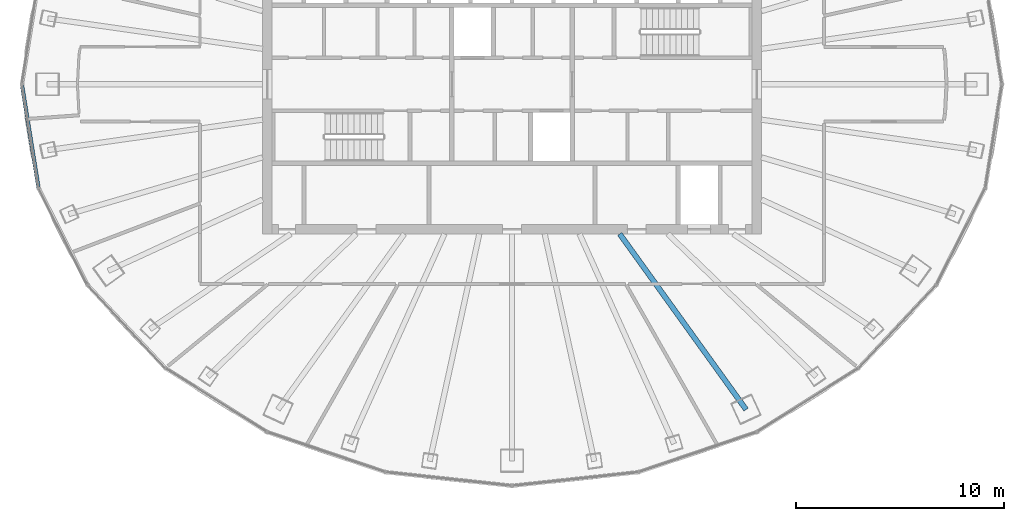
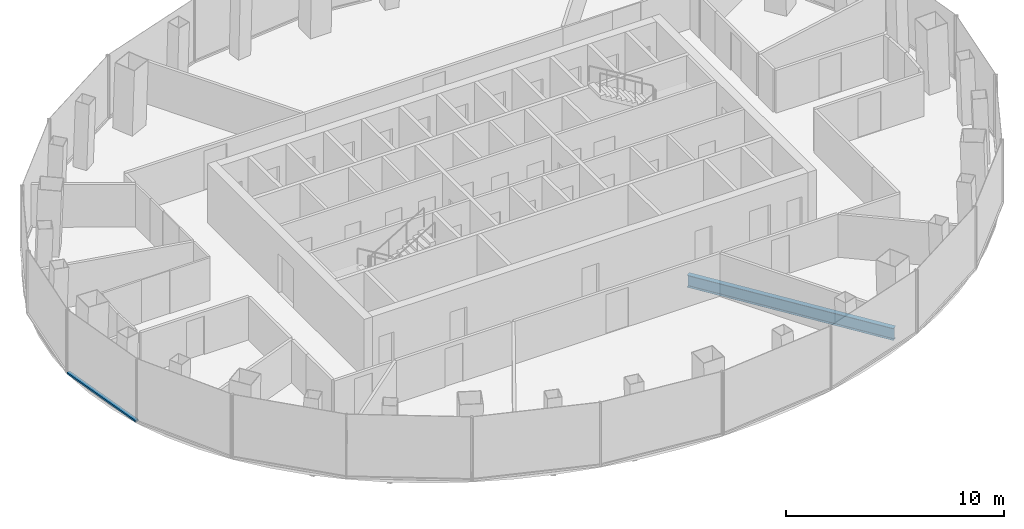
# One storey, part 3 of 13: 1 beam, 1 member, 1 element without a shape of its own.
"""IFC4 building model written with IfcOpenShell, lengths in metres."""

from ifc_helpers import new_model, si_unit, direction, frame, origin, origin_2d, place, context, subcontext, project, spatial, rectangle, i_section, extrude, material, layer, layer_set, material_profile, profile_set, type_object, element, aggregate, save


model = new_model("IFC4")

# Units and contexts
model_context = context("Model", 3, precision=1e-05, world=origin(), true_north=direction((0.0, 1.0)))
body_context = subcontext(model_context, "Body", "Model", "MODEL_VIEW")
ifc_project = project(units=[si_unit("LENGTHUNIT", "METRE"), si_unit("AREAUNIT", "SQUARE_METRE"), si_unit("VOLUMEUNIT", "CUBIC_METRE"), si_unit("PLANEANGLEUNIT", "RADIAN"), si_unit("MASSUNIT", "GRAM", prefix="KILO")], contexts=[model_context])

# Site, building, storey
site_placement = place(None, origin())
site = spatial("IfcSite", under=ifc_project, at=site_placement, CompositionType="ELEMENT")
building_placement = place(site_placement, origin())
building = spatial("IfcBuilding", under=site, at=building_placement, Name="Siaravel Broadcast Tower", CompositionType="ELEMENT")
storey_placement = place(building_placement, frame((0.0, 0.0, 175.60009765625)))
storey = spatial("IfcBuildingStorey", under=building, at=storey_placement, Name="L42", CompositionType="ELEMENT", Elevation=175.60009765625)

# Beam
ifc_material_1 = material(Name="Steel S355", Category="steel")
ifc_material_profile_1 = material_profile(ifc_material_1, i_section(OverallWidth=0.2529296875, OverallDepth=0.677978515625, WebThickness=0.01171875, FlangeThickness=0.01611328125, FilletRadius=0.01513671875, at=origin_2d()))
ifc_profile_set_1 = profile_set([ifc_material_profile_1], Name="Steel S355")
beam_type = type_object("IfcBeamType", Name="BM-UB 686x254x125", PredefinedType="BEAM", material=ifc_profile_set_1)
beam_placement = place(storey_placement, frame((11.261962890625, -15.650634765625, -0.489013671875), z_axis=(-0.584087257, 0.811690875, 0.0), x_axis=(-0.811690875, -0.584087257, 0.0)))
element("IfcBeam", 1, at=beam_placement, inside=storey, type_object=beam_type, Name="Radial beam RB31", PredefinedType="BEAM", context=body_context, shape_type="SweptSolid", body=[
    extrude(i_section(OverallWidth=0.2529296875, OverallDepth=0.677978515625, WebThickness=0.01171875, FlangeThickness=0.01611328125, FilletRadius=0.01513671875, at=origin_2d()), origin(), (0.0, 0.0, 1.0), 10.4111328125),
])

# Curtain wall, member
ifc_material_2 = material(Name="Aluminium 6063-T6", Category="aluminium")
ifc_layer = layer(ifc_material_2, 0.179931640625)
ifc_layer_set = layer_set([ifc_layer], Name="Aluminium 6063-T6")
curtain_wall_type = type_object("IfcCurtainWallType", Name="Unitised curtain wall, zone 3", PredefinedType="NOTDEFINED", material=ifc_layer_set)
curtain_wall_placement = place(storey_placement, origin())
curtain_wall = element("IfcCurtainWall", 2, at=curtain_wall_placement, inside=storey, type_object=curtain_wall_type, Name="L42 Unitised curtain wall, zone 3 07", PredefinedType="NOTDEFINED")
ifc_material_profile_2 = material_profile(ifc_material_2, rectangle(XDim=0.179931640625, YDim=0.10009765625, at=origin_2d()))
ifc_profile_set_2 = profile_set([ifc_material_profile_2], Name="Aluminium 6063-T6")
member_type = type_object("IfcMemberType", Name="CW-Z3 transom", PredefinedType="USERDEFINED", material=ifc_profile_set_2)
member_placement = place(storey_placement, frame((-23.569091796875, -0.05908203125, 0.0498046875), z_axis=(0.158654191, -0.987334213, 0.0), x_axis=(0.987334213, 0.158654191, 0.0)))
member = element("IfcMember", 3, at=member_placement, type_object=member_type, Name="CW-Z3 transom 1", ObjectType="TRANSOM", PredefinedType="USERDEFINED", context=body_context, shape_type="SweptSolid", body=[
    extrude(rectangle(XDim=0.179931640625, YDim=0.10009765625, at=origin_2d()), origin(), (0.0, 0.0, 1.0), 4.97802734375),
])
aggregate(curtain_wall, [member])

save(model, "model.ifc")
